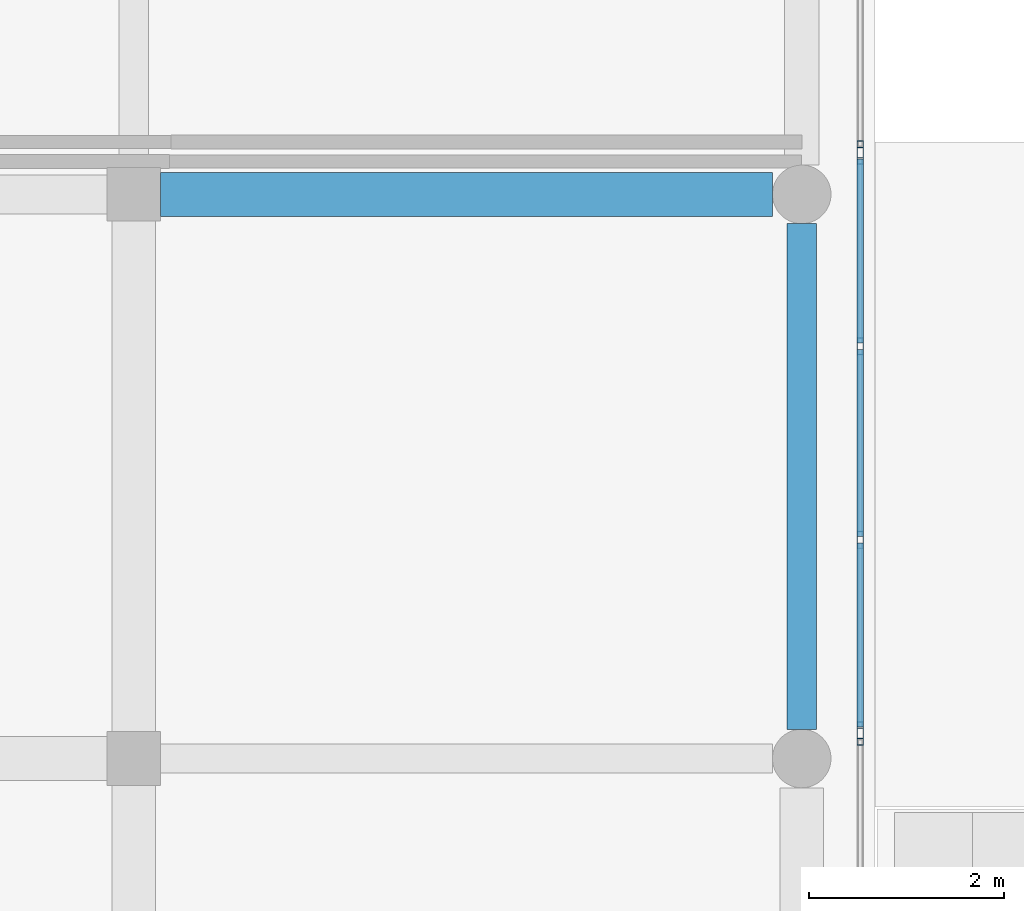
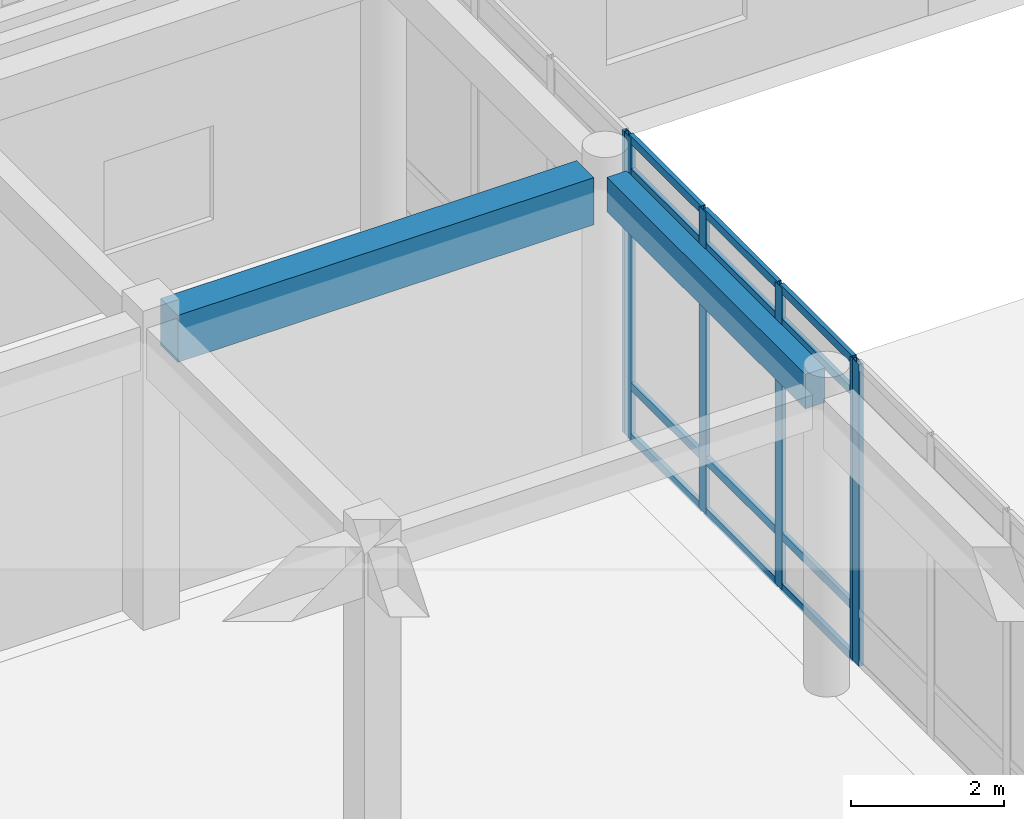
# One storey, part 40 of 121: 18 members, 2 beams, 3 elements without a shape of their own.
"""IFC4 building model written with IfcOpenShell, lengths in metres."""

import ifcopenshell
import ifcopenshell.guid

model = None  # the IFC model being written
_history = None  # IfcOwnerHistory: only IFC2X3 demands one
_inside = {}  # id of a spatial element -> (the spatial element, [elements in it])
_under = {}  # id of a project, library or spatial element -> (it, [spatial elements below it])
_declared = {}  # id of a project -> (the project, [libraries it declares])
_typed = {}  # id of a type object -> (the type object, [elements of that type])
_made_of = {}  # id of a material, layer set ... -> (it, [elements and type objects made of it])


def new_model(schema):
    """Start an empty IFC model of exactly this schema.

    Asked for "IFC4X3", IfcOpenShell would pick the latest addendum, in which some entities
    have other attributes; the version numbers below select the first issue.
    IFC2X3 requires an IfcOwnerHistory on every rooted entity: one is made here for all.
    """
    global model, _history
    if schema == "IFC4X3":
        model = ifcopenshell.file(schema_version=(4, 3, 0, 0))
    else:
        model = ifcopenshell.file(schema=schema)
    _inside.clear()
    _under.clear()
    _declared.clear()
    _typed.clear()
    _made_of.clear()
    _history = None
    if model.schema == "IFC2X3":
        org = make("IfcOrganization", Name="unknown")
        user = make(
            "IfcPersonAndOrganization",
            ThePerson=make("IfcPerson", FamilyName="unknown"),
            TheOrganization=org,
        )
        app = make(
            "IfcApplication",
            ApplicationDeveloper=org,
            Version="unknown",
            ApplicationFullName="unknown",
            ApplicationIdentifier="unknown",
        )
        _history = make(
            "IfcOwnerHistory",
            OwningUser=user,
            OwningApplication=app,
            ChangeAction="ADDED",
            CreationDate=0,
        )
    return model


def make(cls, **values):
    """One entity of the class cls with the attributes given. An attribute that is None is left unset."""
    return model.create_entity(
        cls, **{name: value for name, value in values.items() if value is not None}
    )


def rooted(cls, **values):
    """An entity with a GlobalId (a new one), such as an element, a storey or a relation."""
    return make(cls, GlobalId=ifcopenshell.guid.new(), OwnerHistory=_history, **values)


def si_unit(unit_type, name, prefix=None):
    """IfcSIUnit, for example si_unit("LENGTHUNIT", "METRE", prefix="MILLI")."""
    return make("IfcSIUnit", UnitType=unit_type, Prefix=prefix, Name=name)


def assignment(units):
    """IfcUnitAssignment: the units of a project."""
    return None if units is None else make("IfcUnitAssignment", Units=units)


def point(xyz):
    """IfcCartesianPoint."""
    return None if xyz is None else make("IfcCartesianPoint", Coordinates=xyz)


def direction(xyz):
    """IfcDirection."""
    return None if xyz is None else make("IfcDirection", DirectionRatios=xyz)


def frame(location, z_axis=None, x_axis=None):
    """IfcAxis2Placement3D, a coordinate frame: its origin and axes. An axis left out is left unset."""
    return make(
        "IfcAxis2Placement3D",
        Location=point(location),
        Axis=direction(z_axis),
        RefDirection=direction(x_axis),
    )


def frame_2d(location, x_axis=None):
    """IfcAxis2Placement2D, a coordinate frame in the plane: its origin and x axis."""
    return make(
        "IfcAxis2Placement2D", Location=point(location), RefDirection=direction(x_axis)
    )


def origin():
    """The frame at (0, 0, 0) with its axes left unset."""
    return frame((0.0, 0.0, 0.0))


def origin_2d():
    """The frame at (0, 0) in the plane with its x axis left unset."""
    return frame_2d((0.0, 0.0))


def place(relative_to, where):
    """IfcLocalPlacement: puts the frame where relative to a parent placement (None: the world)."""
    return make(
        "IfcLocalPlacement", PlacementRelTo=relative_to, RelativePlacement=where
    )


def context(
    kind, dimensions, precision=None, world=None, true_north=None, identifier=None
):
    """IfcGeometricRepresentationContext, for example the 3D "Model" context."""
    return make(
        "IfcGeometricRepresentationContext",
        ContextIdentifier=identifier,
        ContextType=kind,
        CoordinateSpaceDimension=dimensions,
        Precision=precision,
        WorldCoordinateSystem=world,
        TrueNorth=true_north,
    )


def subcontext(parent, identifier, kind, view, scale=None):
    """IfcGeometricRepresentationSubContext, for example "Body" below "Model"."""
    return make(
        "IfcGeometricRepresentationSubContext",
        ContextIdentifier=identifier,
        ContextType=kind,
        ParentContext=parent,
        TargetScale=scale,
        TargetView=view,
    )


def project(units=None, contexts=None):
    """IfcProject with its units and contexts."""
    return rooted(
        "IfcProject",
        Name="project",
        RepresentationContexts=contexts,
        UnitsInContext=assignment(units),
    )


def spatial(cls, under=None, at=None, **own):
    """A site, building, storey or space (cls), placed at a placement, below another one or the project."""
    s = rooted(cls, ObjectPlacement=at, **own)
    if under is not None:
        _under.setdefault(under.id(), (under, []))[1].append(s)
    return s


def profile(cls, at=None, kind="AREA", **sizes):
    """A parametric profile (cls). Its sizes go by their IFC names, for example OverallWidth=200.0."""
    return make(cls, ProfileType=kind, Position=at, **sizes)


def rectangle(**sizes):
    """IfcRectangleProfileDef."""
    return profile("IfcRectangleProfileDef", **sizes)


def hollow_rectangle(**sizes):
    """IfcRectangleHollowProfileDef."""
    return profile("IfcRectangleHollowProfileDef", **sizes)


def extrude(swept, where, along, depth):
    """IfcExtrudedAreaSolid: the profile swept, set in the frame where, extruded along a direction by depth."""
    return make(
        "IfcExtrudedAreaSolid",
        SweptArea=swept,
        Position=where,
        ExtrudedDirection=direction(along),
        Depth=depth,
    )


def shape(context_of_items, identifier, shape_type, items):
    """IfcShapeRepresentation: the items that make up one representation, for example the "Body"."""
    return make(
        "IfcShapeRepresentation",
        ContextOfItems=context_of_items,
        RepresentationIdentifier=identifier,
        RepresentationType=shape_type,
        Items=items,
    )


def material(Name=None, Category=None):
    """IfcMaterial."""
    return make("IfcMaterial", Name=Name, Category=Category)


def layer(
    of_material, thickness, ventilated=None, Name=None, Category=None, Priority=None
):
    """IfcMaterialLayer: one layer of a wall or slab, of a material (None: an air gap)."""
    return make(
        "IfcMaterialLayer",
        Material=of_material,
        LayerThickness=thickness,
        IsVentilated=ventilated,
        Name=Name,
        Category=Category,
        Priority=Priority,
    )


def layer_set(layers, Name=None):
    """IfcMaterialLayerSet."""
    return make("IfcMaterialLayerSet", MaterialLayers=layers, LayerSetName=Name)


def material_profile(
    of_material, cross_section, Name=None, Category=None, Priority=None
):
    """IfcMaterialProfile: a cross section and its material."""
    return make(
        "IfcMaterialProfile",
        Name=Name,
        Material=of_material,
        Profile=cross_section,
        Priority=Priority,
        Category=Category,
    )


def profile_set(profiles, Name=None, composite=None):
    """IfcMaterialProfileSet."""
    return make(
        "IfcMaterialProfileSet",
        Name=Name,
        MaterialProfiles=profiles,
        CompositeProfile=composite,
    )


def made_of(thing, what):
    """Note that an element or type object is made of a material, layer set ...; save() writes the relation."""
    if what is not None:
        _made_of.setdefault(what.id(), (what, []))[1].append(thing)
    return thing


def type_object(cls, material=None, **own):
    """A type object (cls), such as IfcWallType, which elements share."""
    return made_of(rooted(cls, **own), material)


def element(
    cls,
    number,
    at=None,
    inside=None,
    cuts=None,
    type_object=None,
    material=None,
    context=None,
    identifier="Body",
    shape_type=None,
    held_by="IfcProductDefinitionShape",
    body=None,
    shapes=None,
    **own,
):
    """One element of the class cls, such as IfcWall. Its Tag is "e" and its number.

    at: its placement. inside: the storey or other place that contains it. cuts: it is an
    opening in that element (IfcRelVoidsElement). A single representation is given by context,
    identifier, shape_type and body (its items); several are given by shapes. held_by: the class
    of the entity that holds the representations. save() writes the other relations.
    """
    e = rooted(cls, Tag="e%d" % number, ObjectPlacement=at, **own)
    if body is not None:
        shapes = [shape(context, identifier, shape_type, body)]
    if shapes is not None:
        e.Representation = make(held_by, Representations=shapes)
    if inside is not None:
        _inside.setdefault(inside.id(), (inside, []))[1].append(e)
    if cuts is not None:
        rooted(
            "IfcRelVoidsElement", RelatingBuildingElement=cuts, RelatedOpeningElement=e
        )
    if type_object is not None:
        _typed.setdefault(type_object.id(), (type_object, []))[1].append(e)
    return made_of(e, material)


def aggregate(whole, parts):
    """IfcRelAggregates: a whole, such as a stair, and the parts it consists of."""
    return rooted("IfcRelAggregates", RelatingObject=whole, RelatedObjects=parts)


def save(model, path):
    """Write the relations noted so far, then the file.

    IfcRelAggregates (storeys below a building ...), IfcRelContainedInSpatialStructure (elements
    in a storey), IfcRelDefinesByType, IfcRelAssociatesMaterial and IfcRelDeclares: one each for
    every whole, place, type object, material and project.
    """
    for whole, parts in _under.values():
        aggregate(whole, parts)
    for where, things in _inside.values():
        rooted(
            "IfcRelContainedInSpatialStructure",
            RelatedElements=things,
            RelatingStructure=where,
        )
    for kind, things in _typed.values():
        rooted("IfcRelDefinesByType", RelatedObjects=things, RelatingType=kind)
    for what, things in _made_of.values():
        rooted("IfcRelAssociatesMaterial", RelatedObjects=things, RelatingMaterial=what)
    for by, libraries in _declared.values():
        rooted("IfcRelDeclares", RelatingContext=by, RelatedDefinitions=libraries)
    model.write(path)


model = new_model("IFC4")

# Units and contexts
model_context = context("Model", 3, precision=1e-05, world=origin(), true_north=direction((0.0, 1.0)))
body_context = subcontext(model_context, "Body", "Model", "MODEL_VIEW")
ifc_project = project(units=[si_unit("LENGTHUNIT", "METRE"), si_unit("AREAUNIT", "SQUARE_METRE"), si_unit("VOLUMEUNIT", "CUBIC_METRE"), si_unit("PLANEANGLEUNIT", "RADIAN"), si_unit("MASSUNIT", "GRAM", prefix="KILO")], contexts=[model_context])

# Site, building, storey
site_placement = place(None, origin())
site = spatial("IfcSite", under=ifc_project, at=site_placement, CompositionType="ELEMENT")
building_placement = place(site_placement, origin())
building = spatial("IfcBuilding", under=site, at=building_placement, Name="Valcora Specialist Clinic", CompositionType="ELEMENT")
storey_placement = place(building_placement, origin())
storey = spatial("IfcBuildingStorey", under=building, at=storey_placement, Name="L00", CompositionType="ELEMENT", Elevation=0.0)

# Beams
ifc_material_1 = material(Name="Concrete C40/50", Category="concrete")
ifc_material_profile_1 = material_profile(ifc_material_1, rectangle(XDim=0.300048828125, YDim=0.550048828125, at=origin_2d()), Name="RC-BM-300X550")
ifc_profile_set_1 = profile_set([ifc_material_profile_1], Name="Concrete C40/50")
beam_type_1 = type_object("IfcBeamType", Name="TY-BM-RC300X550", PredefinedType="BEAM", material=ifc_profile_set_1)
beam_1_placement = place(storey_placement, frame((29.25, 67.97900390625, 4.534912109375), z_axis=(0.0, 1.0, 0.0), x_axis=(-1.0, 0.0, 0.0)))
element("IfcBeam", 1, at=beam_1_placement, inside=storey, type_object=beam_type_1, Name="Beam BM-L00-0131", PredefinedType="BEAM", context=body_context, shape_type="SweptSolid", body=[
    extrude(rectangle(XDim=0.300048828125, YDim=0.550048828125, at=origin_2d()), origin(), (0.0, 0.0, 1.0), 5.18505859375),
])
ifc_material_profile_2 = material_profile(ifc_material_1, rectangle(XDim=0.449951171875, YDim=0.75, at=origin_2d()), Name="RC-BM-450X750")
ifc_profile_set_2 = profile_set([ifc_material_profile_2], Name="Concrete C40/50")
beam_type_2 = type_object("IfcBeamType", Name="TY-BM-RC450X750", PredefinedType="BEAM", material=ifc_profile_set_2)
beam_2_placement = place(storey_placement, frame((22.675048828125, 73.464111328125, 4.43505859375), z_axis=(1.0, 0.0, 0.0), x_axis=(0.0, 1.0, 0.0)))
element("IfcBeam", 2, at=beam_2_placement, inside=storey, type_object=beam_type_2, Name="Beam BM-L00-0095", PredefinedType="BEAM", context=body_context, shape_type="SweptSolid", body=[
    extrude(rectangle(XDim=0.449951171875, YDim=0.75, at=origin_2d()), origin(), (0.0, 0.0, 1.0), 6.27490234375),
])

# Curtain wall, member
ifc_material_2 = material(Name="Anodized Bronze Aluminium 6063-T6", Category="aluminium")
ifc_layer = layer(ifc_material_2, 0.175048828125)
ifc_layer_set = layer_set([ifc_layer], Name="Anodized Bronze Aluminium 6063-T6")
curtain_wall_type = type_object("IfcCurtainWallType", Name="TY-CW-HAL18", PredefinedType="NOTDEFINED", material=ifc_layer_set)
curtain_wall_1_placement = place(storey_placement, origin())
curtain_wall_1 = element("IfcCurtainWall", 3, at=curtain_wall_1_placement, inside=storey, type_object=curtain_wall_type, Name="Curtain wall CW-L00-001", PredefinedType="NOTDEFINED")
ifc_material_profile_3 = material_profile(ifc_material_2, hollow_rectangle(XDim=0.06494140625, YDim=0.175048828125, WallThickness=0.00390625, at=origin_2d()), Name="AL-MUL-65X175")
ifc_profile_set_3 = profile_set([ifc_material_profile_3], Name="Anodized Bronze Aluminium 6063-T6")
member_type_1 = type_object("IfcMemberType", Name="TY-CWM-65X175", PredefinedType="MULLION", material=ifc_profile_set_3)
member_1_placement = place(storey_placement, frame((29.85009765625, 73.92529296875, 0.0), z_axis=(0.0, 0.0, 1.0), x_axis=(1.0, 0.0, 0.0)))
member_1 = element("IfcMember", 4, at=member_1_placement, type_object=member_type_1, Name="CW-HAL-18 mullion 4", PredefinedType="MULLION", context=body_context, shape_type="SweptSolid", body=[
    extrude(hollow_rectangle(XDim=0.06494140625, YDim=0.175048828125, WallThickness=0.00390625, at=origin_2d()), origin(), (0.0, 0.0, 1.0), 4.81005859375),
])
aggregate(curtain_wall_1, [member_1])

# Curtain wall, members
curtain_wall_2_placement = place(storey_placement, origin())
curtain_wall_2 = element("IfcCurtainWall", 5, at=curtain_wall_2_placement, inside=storey, type_object=curtain_wall_type, Name="Curtain wall CW-L00-002", PredefinedType="NOTDEFINED")
member_2_placement = place(storey_placement, frame((29.85009765625, 73.8603515625, 0.0), z_axis=(0.0, 0.0, 1.0), x_axis=(1.0, 0.0, 0.0)))
member_2 = element("IfcMember", 6, at=member_2_placement, type_object=member_type_1, Name="CW-HAL-18 mullion 1", PredefinedType="MULLION", context=body_context, shape_type="SweptSolid", body=[
    extrude(hollow_rectangle(XDim=0.06494140625, YDim=0.175048828125, WallThickness=0.00390625, at=origin_2d()), origin(), (0.0, 0.0, 1.0), 4.81005859375),
])
member_3_placement = place(storey_placement, frame((29.85009765625, 71.9072265625, 0.0), z_axis=(0.0, 0.0, 1.0), x_axis=(1.0, 0.0, 0.0)))
member_3 = element("IfcMember", 7, at=member_3_placement, type_object=member_type_1, Name="CW-HAL-18 mullion 2", PredefinedType="MULLION", context=body_context, shape_type="SweptSolid", body=[
    extrude(hollow_rectangle(XDim=0.06494140625, YDim=0.175048828125, WallThickness=0.00390625, at=origin_2d()), origin(), (0.0, 0.0, 1.0), 4.81005859375),
])
member_4_placement = place(storey_placement, frame((29.85009765625, 69.92138671875, 0.0), z_axis=(0.0, 0.0, 1.0), x_axis=(1.0, 0.0, 0.0)))
member_4 = element("IfcMember", 8, at=member_4_placement, type_object=member_type_1, Name="CW-HAL-18 mullion 3", PredefinedType="MULLION", context=body_context, shape_type="SweptSolid", body=[
    extrude(hollow_rectangle(XDim=0.06494140625, YDim=0.175048828125, WallThickness=0.00390625, at=origin_2d()), origin(), (0.0, 0.0, 1.0), 4.81005859375),
])
member_5_placement = place(storey_placement, frame((29.85009765625, 67.96826171875, 0.0), z_axis=(0.0, 0.0, 1.0), x_axis=(1.0, 0.0, 0.0)))
member_5 = element("IfcMember", 9, at=member_5_placement, type_object=member_type_1, Name="CW-HAL-18 mullion 4", PredefinedType="MULLION", context=body_context, shape_type="SweptSolid", body=[
    extrude(hollow_rectangle(XDim=0.06494140625, YDim=0.175048828125, WallThickness=0.00390625, at=origin_2d()), origin(), (0.0, 0.0, 1.0), 4.81005859375),
])

# Curtain wall, member
curtain_wall_3_placement = place(storey_placement, origin())
curtain_wall_3 = element("IfcCurtainWall", 10, at=curtain_wall_3_placement, inside=storey, type_object=curtain_wall_type, Name="Curtain wall CW-L00-003", PredefinedType="NOTDEFINED")
member_6_placement = place(storey_placement, frame((29.85009765625, 67.9033203125, 0.0), z_axis=(0.0, 0.0, 1.0), x_axis=(1.0, 0.0, 0.0)))
member_6 = element("IfcMember", 11, at=member_6_placement, type_object=member_type_1, Name="CW-HAL-18 mullion 1", PredefinedType="MULLION", context=body_context, shape_type="SweptSolid", body=[
    extrude(hollow_rectangle(XDim=0.06494140625, YDim=0.175048828125, WallThickness=0.00390625, at=origin_2d()), origin(), (0.0, 0.0, 1.0), 4.81005859375),
])
aggregate(curtain_wall_3, [member_6])

# Member
ifc_material_profile_4 = material_profile(ifc_material_2, hollow_rectangle(XDim=0.06494140625, YDim=0.1298828125, WallThickness=0.00390625, at=origin_2d()), Name="AL-TRN-65X130")
ifc_profile_set_4 = profile_set([ifc_material_profile_4], Name="Anodized Bronze Aluminium 6063-T6")
member_type_2 = type_object("IfcMemberType", Name="TY-CWT-65X130", PredefinedType="USERDEFINED", material=ifc_profile_set_4)
member_7_placement = place(storey_placement, frame((29.85009765625, 73.827880859375, 0.032470703125), z_axis=(0.0, -1.0, 0.0), x_axis=(1.0, 0.0, 0.0)))
member_7 = element("IfcMember", 12, at=member_7_placement, type_object=member_type_2, Name="CW-HAL-18 transom 1.1", ObjectType="TRANSOM", PredefinedType="USERDEFINED", context=body_context, shape_type="SweptSolid", body=[
    extrude(hollow_rectangle(XDim=0.06494140625, YDim=0.1298828125, WallThickness=0.00390625, at=origin_2d()), origin(), (0.0, 0.0, 1.0), 1.88818359375),
])

member_8_placement = place(storey_placement, frame((29.85009765625, 73.827880859375, 0.85009765625), z_axis=(0.0, -1.0, 0.0), x_axis=(1.0, 0.0, 0.0)))
member_8 = element("IfcMember", 13, at=member_8_placement, type_object=member_type_2, Name="CW-HAL-18 transom 1.2", ObjectType="TRANSOM", PredefinedType="USERDEFINED", context=body_context, shape_type="SweptSolid", body=[
    extrude(hollow_rectangle(XDim=0.06494140625, YDim=0.1298828125, WallThickness=0.00390625, at=origin_2d()), origin(), (0.0, 0.0, 1.0), 1.88818359375),
])

member_9_placement = place(storey_placement, frame((29.85009765625, 73.827880859375, 4.260009765625), z_axis=(0.0, -1.0, 0.0), x_axis=(1.0, 0.0, 0.0)))
member_9 = element("IfcMember", 14, at=member_9_placement, type_object=member_type_2, Name="CW-HAL-18 transom 1.3", ObjectType="TRANSOM", PredefinedType="USERDEFINED", context=body_context, shape_type="SweptSolid", body=[
    extrude(hollow_rectangle(XDim=0.06494140625, YDim=0.1298828125, WallThickness=0.00390625, at=origin_2d()), origin(), (0.0, 0.0, 1.0), 1.88818359375),
])

member_10_placement = place(storey_placement, frame((29.85009765625, 73.827880859375, 4.777587890625), z_axis=(0.0, -1.0, 0.0), x_axis=(1.0, 0.0, 0.0)))
member_10 = element("IfcMember", 15, at=member_10_placement, type_object=member_type_2, Name="CW-HAL-18 transom 1.4", ObjectType="TRANSOM", PredefinedType="USERDEFINED", context=body_context, shape_type="SweptSolid", body=[
    extrude(hollow_rectangle(XDim=0.06494140625, YDim=0.1298828125, WallThickness=0.00390625, at=origin_2d()), origin(), (0.0, 0.0, 1.0), 1.88818359375),
])

member_11_placement = place(storey_placement, frame((29.85009765625, 71.874755859375, 0.032470703125), z_axis=(0.0, -1.0, 0.0), x_axis=(1.0, 0.0, 0.0)))
member_11 = element("IfcMember", 16, at=member_11_placement, type_object=member_type_2, Name="CW-HAL-18 transom 2.1", ObjectType="TRANSOM", PredefinedType="USERDEFINED", context=body_context, shape_type="SweptSolid", body=[
    extrude(hollow_rectangle(XDim=0.06494140625, YDim=0.1298828125, WallThickness=0.00390625, at=origin_2d()), origin(), (0.0, 0.0, 1.0), 1.9208984375),
])

member_12_placement = place(storey_placement, frame((29.85009765625, 71.874755859375, 0.85009765625), z_axis=(0.0, -1.0, 0.0), x_axis=(1.0, 0.0, 0.0)))
member_12 = element("IfcMember", 17, at=member_12_placement, type_object=member_type_2, Name="CW-HAL-18 transom 2.2", ObjectType="TRANSOM", PredefinedType="USERDEFINED", context=body_context, shape_type="SweptSolid", body=[
    extrude(hollow_rectangle(XDim=0.06494140625, YDim=0.1298828125, WallThickness=0.00390625, at=origin_2d()), origin(), (0.0, 0.0, 1.0), 1.9208984375),
])

member_13_placement = place(storey_placement, frame((29.85009765625, 71.874755859375, 4.260009765625), z_axis=(0.0, -1.0, 0.0), x_axis=(1.0, 0.0, 0.0)))
member_13 = element("IfcMember", 18, at=member_13_placement, type_object=member_type_2, Name="CW-HAL-18 transom 2.3", ObjectType="TRANSOM", PredefinedType="USERDEFINED", context=body_context, shape_type="SweptSolid", body=[
    extrude(hollow_rectangle(XDim=0.06494140625, YDim=0.1298828125, WallThickness=0.00390625, at=origin_2d()), origin(), (0.0, 0.0, 1.0), 1.9208984375),
])

member_14_placement = place(storey_placement, frame((29.85009765625, 71.874755859375, 4.777587890625), z_axis=(0.0, -1.0, 0.0), x_axis=(1.0, 0.0, 0.0)))
member_14 = element("IfcMember", 19, at=member_14_placement, type_object=member_type_2, Name="CW-HAL-18 transom 2.4", ObjectType="TRANSOM", PredefinedType="USERDEFINED", context=body_context, shape_type="SweptSolid", body=[
    extrude(hollow_rectangle(XDim=0.06494140625, YDim=0.1298828125, WallThickness=0.00390625, at=origin_2d()), origin(), (0.0, 0.0, 1.0), 1.9208984375),
])

member_15_placement = place(storey_placement, frame((29.85009765625, 69.888916015625, 0.032470703125), z_axis=(0.0, -1.0, 0.0), x_axis=(1.0, 0.0, 0.0)))
member_15 = element("IfcMember", 20, at=member_15_placement, type_object=member_type_2, Name="CW-HAL-18 transom 3.1", ObjectType="TRANSOM", PredefinedType="USERDEFINED", context=body_context, shape_type="SweptSolid", body=[
    extrude(hollow_rectangle(XDim=0.06494140625, YDim=0.1298828125, WallThickness=0.00390625, at=origin_2d()), origin(), (0.0, 0.0, 1.0), 1.88818359375),
])

member_16_placement = place(storey_placement, frame((29.85009765625, 69.888916015625, 0.85009765625), z_axis=(0.0, -1.0, 0.0), x_axis=(1.0, 0.0, 0.0)))
member_16 = element("IfcMember", 21, at=member_16_placement, type_object=member_type_2, Name="CW-HAL-18 transom 3.2", ObjectType="TRANSOM", PredefinedType="USERDEFINED", context=body_context, shape_type="SweptSolid", body=[
    extrude(hollow_rectangle(XDim=0.06494140625, YDim=0.1298828125, WallThickness=0.00390625, at=origin_2d()), origin(), (0.0, 0.0, 1.0), 1.88818359375),
])

member_17_placement = place(storey_placement, frame((29.85009765625, 69.888916015625, 4.260009765625), z_axis=(0.0, -1.0, 0.0), x_axis=(1.0, 0.0, 0.0)))
member_17 = element("IfcMember", 22, at=member_17_placement, type_object=member_type_2, Name="CW-HAL-18 transom 3.3", ObjectType="TRANSOM", PredefinedType="USERDEFINED", context=body_context, shape_type="SweptSolid", body=[
    extrude(hollow_rectangle(XDim=0.06494140625, YDim=0.1298828125, WallThickness=0.00390625, at=origin_2d()), origin(), (0.0, 0.0, 1.0), 1.88818359375),
])

member_18_placement = place(storey_placement, frame((29.85009765625, 69.888916015625, 4.777587890625), z_axis=(0.0, -1.0, 0.0), x_axis=(1.0, 0.0, 0.0)))
member_18 = element("IfcMember", 23, at=member_18_placement, type_object=member_type_2, Name="CW-HAL-18 transom 3.4", ObjectType="TRANSOM", PredefinedType="USERDEFINED", context=body_context, shape_type="SweptSolid", body=[
    extrude(hollow_rectangle(XDim=0.06494140625, YDim=0.1298828125, WallThickness=0.00390625, at=origin_2d()), origin(), (0.0, 0.0, 1.0), 1.88818359375),
])

aggregate(curtain_wall_2, [member_2, member_3, member_4, member_5, member_7, member_8, member_9, member_10, member_11, member_12, member_13, member_14, member_15, member_16, member_17, member_18])

save(model, "model.ifc")
